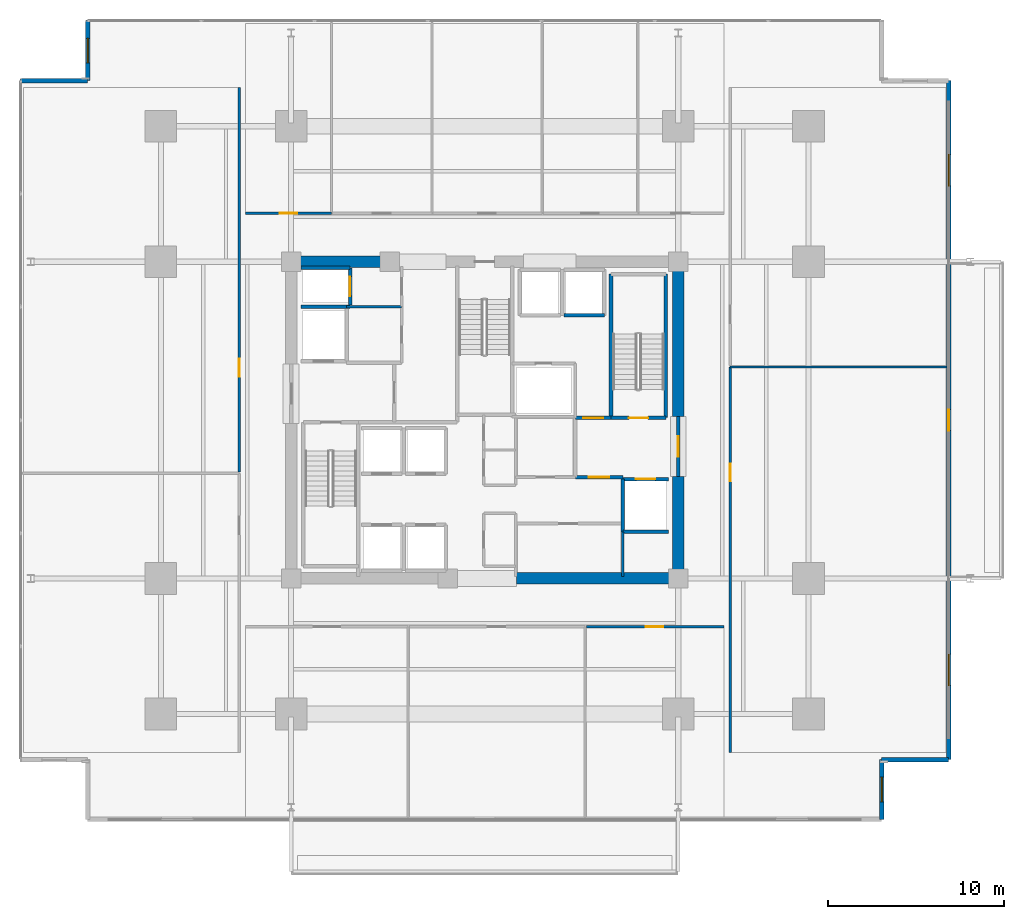
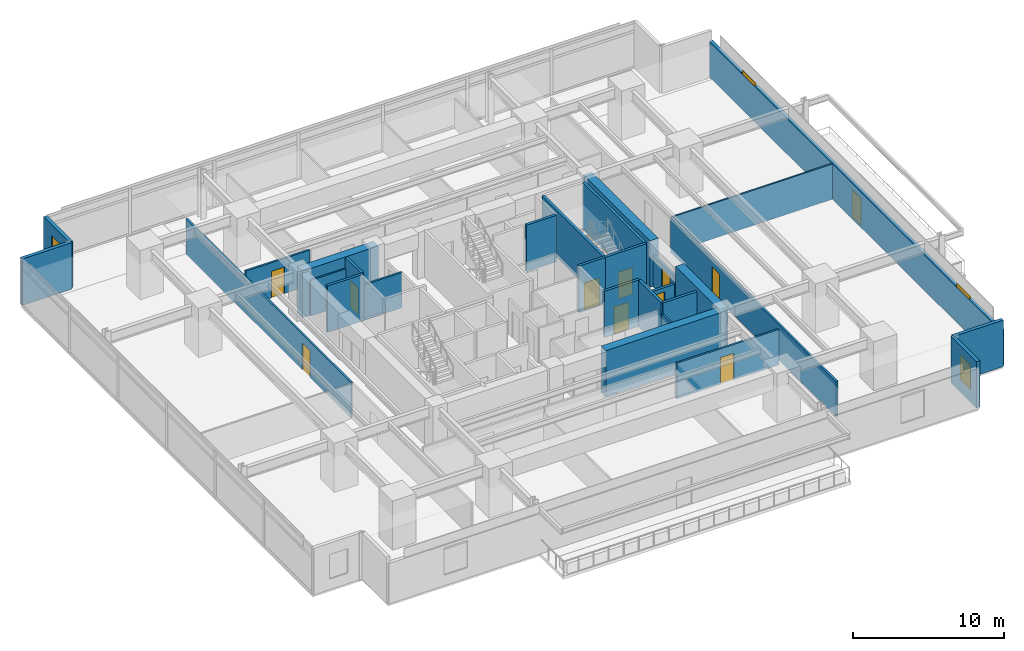
# One storey, part 17 of 23: 29 walls, 11 doors, 4 windows, 15 openings.
"""IFC4 building model written with IfcOpenShell, lengths in metres."""

from ifc_helpers import new_model, si_unit, direction, frame, frame_2d, origin, place, context, subcontext, project, spatial, rectangle, extrude, material, layer, layer_set, type_object, element, fill, save


model = new_model("IFC4")

# Units and contexts
model_context = context("Model", 3, precision=1e-05, world=origin(), true_north=direction((0.0, 1.0)))
body_context = subcontext(model_context, "Body", "Model", "MODEL_VIEW")
ifc_project = project(units=[si_unit("LENGTHUNIT", "METRE"), si_unit("AREAUNIT", "SQUARE_METRE"), si_unit("VOLUMEUNIT", "CUBIC_METRE"), si_unit("PLANEANGLEUNIT", "RADIAN"), si_unit("MASSUNIT", "GRAM", prefix="KILO")], contexts=[model_context])

# Site, building, storey
site_placement = place(None, origin())
site = spatial("IfcSite", under=ifc_project, at=site_placement, CompositionType="ELEMENT")
building_placement = place(site_placement, origin())
building = spatial("IfcBuilding", under=site, at=building_placement, Name="Kovane Verandah Tower", CompositionType="ELEMENT")
storey_placement = place(building_placement, frame((0.0, 0.0, 91.60009765625)))
storey = spatial("IfcBuildingStorey", under=building, at=storey_placement, Name="L21", CompositionType="ELEMENT", Elevation=91.60009765625)

# Walls
ifc_material_1 = material(Name="Fire-Rated Gypsum Stud Partition", Category="gypsum")
ifc_layer_1 = layer(ifc_material_1, 0.14990234375)
ifc_layer_set_1 = layer_set([ifc_layer_1], Name="Fire-Rated Gypsum Stud Partition")
wall_type_1 = type_object("IfcWallType", Name="WL-COR-150", PredefinedType="PARTITIONING", material=ifc_layer_set_1)
wall_1_placement = place(storey_placement, frame((32.14990234375, 33.949951171875, 0.0), z_axis=(0.0, 0.0, 1.0), x_axis=(1.0, 0.0, 0.0)))
element("IfcWall", 1, at=wall_1_placement, inside=storey, type_object=wall_type_1, Name="L21 Goods Lift Lobby South Wall", PredefinedType="PARTITIONING", context=body_context, shape_type="SweptSolid", body=[
    extrude(rectangle(XDim=3.130126953125, YDim=0.14990234375, at=frame_2d((1.56494140625, 0.0))), origin(), (0.0, 0.0, 1.0), 2.849853515625),
])
wall_2_placement = place(storey_placement, frame((47.85009765625, 18.60009765625, 0.0), z_axis=(0.0, 0.0, 1.0), x_axis=(0.0, 1.0, 0.0)))
element("IfcWall", 2, at=wall_2_placement, inside=storey, type_object=wall_type_1, Name="L21 East Core Support East Wall", PredefinedType="PARTITIONING", context=body_context, shape_type="SweptSolid", body=[
    extrude(rectangle(XDim=2.539794921875, YDim=0.14990234375, at=frame_2d((1.27001953125, 0.0))), origin(), (0.0, 0.0, 1.0), 2.849853515625),
])

# Wall, opening, door
wall_3_placement = place(storey_placement, frame((26.39990234375, 39.25, 0.0), z_axis=(0.0, 0.0, 1.0), x_axis=(1.0, 0.0, 0.0)))
wall_3 = element("IfcWall", 3, at=wall_3_placement, inside=storey, type_object=wall_type_1, Name="L21 Breakout Pantry N1 Corridor Partition", PredefinedType="PARTITIONING", context=body_context, shape_type="SweptSolid", body=[
    extrude(rectangle(XDim=4.89599609375, YDim=0.14990234375, at=frame_2d((2.447998046875, 0.0))), origin(), (0.0, 0.0, 1.0), 2.849853515625),
])
opening_1_placement = place(wall_3_placement, frame((1.962890625, 0.0, 0.0)))
opening_1 = element("IfcOpeningElement", 4, at=opening_1_placement, cuts=wall_3, Name="Opening DR-L21-017", PredefinedType="OPENING", context=body_context, shape_type="SweptSolid", body=[
    extrude(rectangle(XDim=1.0, YDim=2.14990234375, at=frame_2d((0.5, 1.074951171875))), frame((0.0, 0.074951171875, 0.0), z_axis=(0.0, -1.0, 0.0), x_axis=(1.0, 0.0, 0.0)), (0.0, 0.0, 1.0), 0.14990234375),
])
ifc_material_2 = material(Name="FSC Spotted-Gum Timber Fire-Rated Office Door", Category="wood")
door_type_1 = type_object("IfcDoorType", Name="DR-OFF-1000", OperationType="SINGLE_SWING_LEFT", PredefinedType="DOOR", material=ifc_material_2)
door_1_placement = place(opening_1_placement, origin())
door_1 = element("IfcDoor", 5, at=door_1_placement, inside=storey, type_object=door_type_1, Name="L21 Breakout Pantry N1 Entrance Door", OperationType="SINGLE_SWING_LEFT", OverallHeight=2.14990234375, OverallWidth=1.0, PredefinedType="DOOR", context=body_context, shape_type="SweptSolid", body=[
    extrude(rectangle(XDim=1.0, YDim=2.14990234375, at=frame_2d((0.5, 1.074951171875))), frame((0.0, 0.02490234375, 0.0), z_axis=(0.0, -1.0, 0.0), x_axis=(1.0, 0.0, 0.0)), (0.0, 0.0, 1.0), 0.050048828125),
])
fill(opening_1, door_1)

wall_4_placement = place(storey_placement, frame((45.781982421875, 15.75, 0.0), z_axis=(0.0, 0.0, 1.0), x_axis=(1.0, 0.0, 0.0)))
wall_4 = element("IfcWall", 6, at=wall_4_placement, inside=storey, type_object=wall_type_1, Name="L21 Focus Studio S3 Corridor Partition", PredefinedType="PARTITIONING", context=body_context, shape_type="SweptSolid", body=[
    extrude(rectangle(XDim=7.818115234375, YDim=0.14990234375, at=frame_2d((3.9091796875, 0.0))), origin(), (0.0, 0.0, 1.0), 2.849853515625),
])
opening_2_placement = place(wall_4_placement, frame((3.35888671875, 0.0, 0.0)))
opening_2 = element("IfcOpeningElement", 7, at=opening_2_placement, cuts=wall_4, Name="Opening DR-L21-024", PredefinedType="OPENING", context=body_context, shape_type="SweptSolid", body=[
    extrude(rectangle(XDim=1.0, YDim=2.14990234375, at=frame_2d((0.5, 1.074951171875))), frame((0.0, 0.074951171875, 0.0), z_axis=(0.0, -1.0, 0.0), x_axis=(1.0, 0.0, 0.0)), (0.0, 0.0, 1.0), 0.14990234375),
])
door_2_placement = place(opening_2_placement, origin())
door_2 = element("IfcDoor", 8, at=door_2_placement, inside=storey, type_object=door_type_1, Name="L21 Focus Studio S3 Entrance Door", OperationType="SINGLE_SWING_RIGHT", OverallHeight=2.14990234375, OverallWidth=1.0, PredefinedType="DOOR", context=body_context, shape_type="SweptSolid", body=[
    extrude(rectangle(XDim=1.0, YDim=2.14990234375, at=frame_2d((0.5, 1.074951171875))), frame((0.0, 0.02490234375, 0.0), z_axis=(0.0, -1.0, 0.0), x_axis=(1.0, 0.0, 0.0)), (0.0, 0.0, 1.0), 0.050048828125),
])
fill(opening_2, door_2)

wall_5_placement = place(storey_placement, frame((26.050048828125, 24.546875, 0.0), z_axis=(0.0, 0.0, 1.0), x_axis=(0.0, 1.0, 0.0)))
wall_5 = element("IfcWall", 9, at=wall_5_placement, inside=storey, type_object=wall_type_1, Name="L21 Collaboration Hub W2 Corridor Partition", PredefinedType="PARTITIONING", context=body_context, shape_type="SweptSolid", body=[
    extrude(rectangle(XDim=21.84814453125, YDim=0.14990234375, at=frame_2d((10.924072265625, 0.0))), origin(), (0.0, 0.0, 1.0), 2.849853515625),
])
opening_3_placement = place(wall_5_placement, frame((5.426513671875, 0.0, 0.0)))
opening_3 = element("IfcOpeningElement", 10, at=opening_3_placement, cuts=wall_5, Name="Opening DR-L21-030", PredefinedType="OPENING", context=body_context, shape_type="SweptSolid", body=[
    extrude(rectangle(XDim=1.0, YDim=2.14990234375, at=frame_2d((0.5, 1.074951171875))), frame((0.0, 0.074951171875, 0.0), z_axis=(0.0, -1.0, 0.0), x_axis=(1.0, 0.0, 0.0)), (0.0, 0.0, 1.0), 0.14990234375),
])
door_3_placement = place(opening_3_placement, origin())
door_3 = element("IfcDoor", 11, at=door_3_placement, inside=storey, type_object=door_type_1, Name="L21 Collaboration Hub W2 Entrance Door", OperationType="SINGLE_SWING_RIGHT", OverallHeight=2.14990234375, OverallWidth=1.0, PredefinedType="DOOR", context=body_context, shape_type="SweptSolid", body=[
    extrude(rectangle(XDim=1.0, YDim=2.14990234375, at=frame_2d((0.5, 1.074951171875))), frame((0.0, 0.02490234375, 0.0), z_axis=(0.0, -1.0, 0.0), x_axis=(1.0, 0.0, 0.0)), (0.0, 0.0, 1.0), 0.050048828125),
])
fill(opening_3, door_3)

wall_6_placement = place(storey_placement, frame((53.949951171875, 8.60498046875, 0.0), z_axis=(0.0, 0.0, 1.0), x_axis=(0.0, 1.0, 0.0)))
wall_6 = element("IfcWall", 12, at=wall_6_placement, inside=storey, type_object=wall_type_1, Name="L21 Document and Print Room E1 Corridor Partition", PredefinedType="PARTITIONING", context=body_context, shape_type="SweptSolid", body=[
    extrude(rectangle(XDim=21.918212890625, YDim=0.14990234375, at=frame_2d((10.958984375, 0.0))), origin(), (0.0, 0.0, 1.0), 2.849853515625),
])
opening_4_placement = place(wall_6_placement, frame((15.42138671875, 0.0, 0.0)))
opening_4 = element("IfcOpeningElement", 13, at=opening_4_placement, cuts=wall_6, Name="Opening DR-L21-012", PredefinedType="OPENING", context=body_context, shape_type="SweptSolid", body=[
    extrude(rectangle(XDim=1.0, YDim=2.14990234375, at=frame_2d((0.5, 1.074951171875))), frame((0.0, 0.074951171875, 0.0), z_axis=(0.0, -1.0, 0.0), x_axis=(1.0, 0.0, 0.0)), (0.0, 0.0, 1.0), 0.14990234375),
])
door_4_placement = place(opening_4_placement, origin())
door_4 = element("IfcDoor", 14, at=door_4_placement, inside=storey, type_object=door_type_1, Name="L21 Document and Print Room E1 Entrance Door", OperationType="SINGLE_SWING_LEFT", OverallHeight=2.14990234375, OverallWidth=1.0, PredefinedType="DOOR", context=body_context, shape_type="SweptSolid", body=[
    extrude(rectangle(XDim=1.0, YDim=2.14990234375, at=frame_2d((0.5, 1.074951171875))), frame((0.0, 0.02490234375, 0.0), z_axis=(0.0, -1.0, 0.0), x_axis=(1.0, 0.0, 0.0)), (0.0, 0.0, 1.0), 0.050048828125),
])
fill(opening_4, door_4)

# Walls
ifc_material_3 = material(Name="Concrete C80/95", Category="concrete")
ifc_layer_2 = layer(ifc_material_3, 0.64990234375)
ifc_layer_set_2 = layer_set([ifc_layer_2], Name="Concrete C80/95")
wall_type_2 = type_object("IfcWallType", Name="WL-CORE-650", PredefinedType="SHEAR", material=ifc_layer_set_2)
wall_7_placement = place(storey_placement, frame((41.800048828125, 18.5, 0.0), z_axis=(0.0, 0.0, 1.0), x_axis=(1.0, 0.0, 0.0)))
element("IfcWall", 15, at=wall_7_placement, inside=storey, type_object=wall_type_2, Name="L21 Core Shear Wall CS-2", PredefinedType="SHEAR", context=body_context, shape_type="SweptSolid", body=[
    extrude(rectangle(XDim=9.199951171875, YDim=0.64990234375, at=frame_2d((4.60009765625, 0.0))), origin(), (0.0, 0.0, 1.0), 3.760009765625),
])
for number, where, z_axis, x_axis, name in (
    (16, (29.0, 36.5, 0.0), (0.0, 0.0, 1.0), (1.0, 0.0, 0.0), "L21 Core Shear Wall CN-1"),
    (17, (51.0, 18.5, 0.0), (0.0, 0.0, 1.0), (0.0, 1.0, 0.0), "L21 Core Shear Wall CE-1"),
):
    element("IfcWall", number, at=place(storey_placement, frame(where, z_axis=z_axis, x_axis=x_axis)), inside=storey, type_object=wall_type_2, Name=name, PredefinedType="SHEAR", context=body_context, shape_type="SweptSolid", body=[
        extrude(rectangle(XDim=5.800048828125, YDim=0.64990234375, at=frame_2d((2.89990234375, 0.0))), origin(), (0.0, 0.0, 1.0), 3.760009765625),
    ])
wall_8_placement = place(storey_placement, frame((51.0, 27.699951171875, 0.0), z_axis=(0.0, 0.0, 1.0), x_axis=(0.0, 1.0, 0.0)))
element("IfcWall", 18, at=wall_8_placement, inside=storey, type_object=wall_type_2, Name="L21 Core Shear Wall CE-2", PredefinedType="SHEAR", context=body_context, shape_type="SweptSolid", body=[
    extrude(rectangle(XDim=8.800048828125, YDim=0.64990234375, at=frame_2d((4.39990234375, 0.0))), origin(), (0.0, 0.0, 1.0), 3.760009765625),
])

# Wall, opening, door
ifc_material_4 = material(Name="Concrete C45/55 Fire Wall", Category="concrete")
ifc_layer_3 = layer(ifc_material_4, 0.199951171875)
ifc_layer_set_3 = layer_set([ifc_layer_3], Name="Concrete C45/55 Fire Wall")
wall_type_3 = type_object("IfcWallType", Name="WL-FFL-200", PredefinedType="PARTITIONING", material=ifc_layer_set_3)
wall_9_placement = place(storey_placement, frame((45.14990234375, 24.25, 0.0), z_axis=(0.0, 0.0, 1.0), x_axis=(1.0, 0.0, 0.0)))
wall_9 = element("IfcWall", 19, at=wall_9_placement, inside=storey, type_object=wall_type_3, Name="W-L21-FFLE-S", PredefinedType="PARTITIONING", context=body_context, shape_type="SweptSolid", body=[
    extrude(rectangle(XDim=2.7001953125, YDim=0.199951171875, at=frame_2d((1.35009765625, 0.0))), origin(), (0.0, 0.0, 1.0), 3.760009765625),
])
opening_5_placement = place(wall_9_placement, frame((0.77490234375, 0.0, 0.0)))
opening_5 = element("IfcOpeningElement", 20, at=opening_5_placement, cuts=wall_9, Name="Opening DR-L21-003", PredefinedType="OPENING", context=body_context, shape_type="SweptSolid", body=[
    extrude(rectangle(XDim=1.14990234375, YDim=2.199951171875, at=frame_2d((0.574951171875, 1.10009765625))), frame((0.0, 0.10009765625, 0.0), z_axis=(0.0, -1.0, 0.0), x_axis=(1.0, 0.0, 0.0)), (0.0, 0.0, 1.0), 0.199951171875),
])
ifc_material_5 = material(Name="Smoke-Sealed Firefighting Lobby Door", Category="steel")
door_type_2 = type_object("IfcDoorType", Name="DR-FFL-1150", OperationType="SINGLE_SWING_LEFT", PredefinedType="DOOR", material=ifc_material_5)
door_5_placement = place(opening_5_placement, origin())
door_5 = element("IfcDoor", 21, at=door_5_placement, inside=storey, type_object=door_type_2, Name="L21 East Firefighting Lobby Inner Door", OperationType="SINGLE_SWING_RIGHT", OverallHeight=2.199951171875, OverallWidth=1.14990234375, PredefinedType="DOOR", context=body_context, shape_type="SweptSolid", body=[
    extrude(rectangle(XDim=1.14990234375, YDim=2.199951171875, at=frame_2d((0.574951171875, 1.10009765625))), frame((0.0, 0.02490234375, 0.0), z_axis=(0.0, -1.0, 0.0), x_axis=(1.0, 0.0, 0.0)), (0.0, 0.0, 1.0), 0.050048828125),
])
fill(opening_5, door_5)

wall_10_placement = place(storey_placement, frame((45.14990234375, 27.6201171875, 0.0), z_axis=(0.0, 0.0, 1.0), x_axis=(1.0, 0.0, 0.0)))
wall_10 = element("IfcWall", 22, at=wall_10_placement, inside=storey, type_object=wall_type_3, Name="W-L21-FFLE-N", PredefinedType="PARTITIONING", context=body_context, shape_type="SweptSolid", body=[
    extrude(rectangle(XDim=2.030029296875, YDim=0.199951171875, at=frame_2d((1.01513671875, 0.0))), origin(), (0.0, 0.0, 1.0), 3.760009765625),
])
opening_6_placement = place(wall_10_placement, frame((0.43994140625, 0.0, 0.0)))
opening_6 = element("IfcOpeningElement", 23, at=opening_6_placement, cuts=wall_10, Name="Opening DR-L21-004", PredefinedType="OPENING", context=body_context, shape_type="SweptSolid", body=[
    extrude(rectangle(XDim=1.14990234375, YDim=2.199951171875, at=frame_2d((0.574951171875, 1.10009765625))), frame((0.0, 0.10009765625, 0.0), z_axis=(0.0, -1.0, 0.0), x_axis=(1.0, 0.0, 0.0)), (0.0, 0.0, 1.0), 0.199951171875),
])
door_6_placement = place(opening_6_placement, origin())
door_6 = element("IfcDoor", 24, at=door_6_placement, inside=storey, type_object=door_type_2, Name="L21 East Firefighting Lobby Shuttle Link Door", OperationType="SINGLE_SWING_LEFT", OverallHeight=2.199951171875, OverallWidth=1.14990234375, PredefinedType="DOOR", context=body_context, shape_type="SweptSolid", body=[
    extrude(rectangle(XDim=1.14990234375, YDim=2.199951171875, at=frame_2d((0.574951171875, 1.10009765625))), frame((0.0, 0.02490234375, 0.0), z_axis=(0.0, -1.0, 0.0), x_axis=(1.0, 0.0, 0.0)), (0.0, 0.0, 1.0), 0.050048828125),
])
fill(opening_6, door_6)

wall_11_placement = place(storey_placement, frame((51.0, 24.300048828125, 0.0), z_axis=(0.0, 0.0, 1.0), x_axis=(0.0, 1.0, 0.0)))
wall_11 = element("IfcWall", 25, at=wall_11_placement, inside=storey, type_object=wall_type_3, Name="W-L21-FFLE-OUT", PredefinedType="PARTITIONING", context=body_context, shape_type="SweptSolid", body=[
    extrude(rectangle(XDim=3.39990234375, YDim=0.199951171875, at=frame_2d((1.699951171875, 0.0))), origin(), (0.0, 0.0, 1.0), 2.539794921875),
])
opening_7_placement = place(wall_11_placement, frame((1.125, 0.0, 0.0)))
opening_7 = element("IfcOpeningElement", 26, at=opening_7_placement, cuts=wall_11, Name="Opening DR-L21-005", PredefinedType="OPENING", context=body_context, shape_type="SweptSolid", body=[
    extrude(rectangle(XDim=1.14990234375, YDim=2.199951171875, at=frame_2d((0.574951171875, 1.10009765625))), frame((0.0, 0.10009765625, 0.0), z_axis=(0.0, -1.0, 0.0), x_axis=(1.0, 0.0, 0.0)), (0.0, 0.0, 1.0), 0.199951171875),
])
door_7_placement = place(opening_7_placement, origin())
door_7 = element("IfcDoor", 27, at=door_7_placement, inside=storey, type_object=door_type_2, Name="L21 East Firefighting Lobby Corridor Door", OperationType="SINGLE_SWING_LEFT", OverallHeight=2.199951171875, OverallWidth=1.14990234375, PredefinedType="DOOR", context=body_context, shape_type="SweptSolid", body=[
    extrude(rectangle(XDim=1.14990234375, YDim=2.199951171875, at=frame_2d((0.574951171875, 1.10009765625))), frame((0.0, 0.02490234375, 0.0), z_axis=(0.0, -1.0, 0.0), x_axis=(1.0, 0.0, 0.0)), (0.0, 0.0, 1.0), 0.050048828125),
])
fill(opening_7, door_7)

# Walls
ifc_material_6 = material(Name="Concrete C45/55 Lift Shaft Wall", Category="concrete")
ifc_layer_4 = layer(ifc_material_6, 0.199951171875)
ifc_layer_set_4 = layer_set([ifc_layer_4], Name="Concrete C45/55 Lift Shaft Wall")
wall_type_4 = type_object("IfcWallType", Name="WL-LIFT-200", PredefinedType="SOLIDWALL", material=ifc_layer_set_4)
wall_12_placement = place(storey_placement, frame((29.550048828125, 33.949951171875, 0.0), z_axis=(0.0, 0.0, 1.0), x_axis=(1.0, 0.0, 0.0)))
element("IfcWall", 28, at=wall_12_placement, inside=storey, type_object=wall_type_4, Name="L21 Lift FL-01 and GL-01 Shared Shaft Wall", PredefinedType="SOLIDWALL", context=body_context, shape_type="SweptSolid", body=[
    extrude(rectangle(XDim=2.800048828125, YDim=0.199951171875, at=frame_2d((1.39990234375, 0.0))), origin(), (0.0, 0.0, 1.0), 3.760009765625),
])
wall_13_placement = place(storey_placement, frame((47.85009765625, 21.14990234375, 0.0), z_axis=(0.0, 0.0, 1.0), x_axis=(1.0, 0.0, 0.0)))
element("IfcWall", 29, at=wall_13_placement, inside=storey, type_object=wall_type_4, Name="L21 Lift FL-02 S Shaft Wall", PredefinedType="SOLIDWALL", context=body_context, shape_type="SweptSolid", body=[
    extrude(rectangle(XDim=2.599853515625, YDim=0.199951171875, at=frame_2d((1.2998046875, 0.0))), origin(), (0.0, 0.0, 1.0), 3.760009765625),
])

# Wall, opening, door
wall_14_placement = place(storey_placement, frame((50.449951171875, 24.14990234375, 0.0), z_axis=(0.0, 0.0, 1.0), x_axis=(-1.0, 0.0, 0.0)))
wall_14 = element("IfcWall", 30, at=wall_14_placement, inside=storey, type_object=wall_type_4, Name="L21 Lift FL-02 N Shaft Wall", PredefinedType="SOLIDWALL", context=body_context, shape_type="SweptSolid", body=[
    extrude(rectangle(XDim=2.599853515625, YDim=0.199951171875, at=frame_2d((1.2998046875, 0.0))), origin(), (0.0, 0.0, 1.0), 2.539794921875),
])
opening_8_placement = place(wall_14_placement, frame((0.75, 0.0, 0.0)))
opening_8 = element("IfcOpeningElement", 31, at=opening_8_placement, cuts=wall_14, Name="Opening LD-L21-002", PredefinedType="OPENING", context=body_context, shape_type="SweptSolid", body=[
    extrude(rectangle(XDim=1.10009765625, YDim=2.199951171875, at=frame_2d((0.550048828125, 1.10009765625))), frame((0.0, 0.10009765625, 0.0), z_axis=(0.0, -1.0, 0.0), x_axis=(1.0, 0.0, 0.0)), (0.0, 0.0, 1.0), 0.199951171875),
])
ifc_material_7 = material(Name="Brushed Stainless Steel Sliding Lift Landing Door", Category="steel")
door_type_3 = type_object("IfcDoorType", Name="DR-LIFT-1100", OperationType="SLIDING_TO_RIGHT", PredefinedType="DOOR", material=ifc_material_7)
door_8_placement = place(opening_8_placement, origin())
door_8 = element("IfcDoor", 32, at=door_8_placement, inside=storey, type_object=door_type_3, Name="L21 Lift FL-02 Sliding Landing Door", OperationType="SLIDING_TO_RIGHT", OverallHeight=2.199951171875, OverallWidth=1.10009765625, PredefinedType="DOOR", context=body_context, shape_type="SweptSolid", body=[
    extrude(rectangle(XDim=1.10009765625, YDim=2.199951171875, at=frame_2d((0.550048828125, 1.10009765625))), frame((0.0, 0.02490234375, 0.0), z_axis=(0.0, -1.0, 0.0), x_axis=(1.0, 0.0, 0.0)), (0.0, 0.0, 1.0), 0.050048828125),
])
fill(opening_8, door_8)

# Walls
wall_15_placement = place(storey_placement, frame((47.85009765625, 24.14990234375, 0.0), z_axis=(0.0, 0.0, 1.0), x_axis=(0.0, -1.0, 0.0)))
element("IfcWall", 33, at=wall_15_placement, inside=storey, type_object=wall_type_4, Name="L21 Lift FL-02 W Shaft Wall", PredefinedType="SOLIDWALL", context=body_context, shape_type="SweptSolid", body=[
    extrude(rectangle(XDim=3.0, YDim=0.199951171875, at=frame_2d((1.5, 0.0))), origin(), (0.0, 0.0, 1.0), 3.760009765625),
])
wall_16_placement = place(storey_placement, frame((32.35009765625, 36.14990234375, 0.0), z_axis=(0.0, 0.0, 1.0), x_axis=(-1.0, 0.0, 0.0)))
element("IfcWall", 34, at=wall_16_placement, inside=storey, type_object=wall_type_4, Name="L21 Lift GL-01 N Shaft Wall", PredefinedType="SOLIDWALL", context=body_context, shape_type="SweptSolid", body=[
    extrude(rectangle(XDim=2.800048828125, YDim=0.199951171875, at=frame_2d((1.39990234375, 0.0))), origin(), (0.0, 0.0, 1.0), 2.88916015625),
])

# Wall, opening, door
wall_17_placement = place(storey_placement, frame((32.35009765625, 34.050048828125, 0.0), z_axis=(0.0, 0.0, 1.0), x_axis=(0.0, 1.0, 0.0)))
wall_17 = element("IfcWall", 35, at=wall_17_placement, inside=storey, type_object=wall_type_4, Name="L21 Lift GL-01 E Shaft Wall", PredefinedType="SOLIDWALL", context=body_context, shape_type="SweptSolid", body=[
    extrude(rectangle(XDim=2.099853515625, YDim=0.199951171875, at=frame_2d((1.0498046875, 0.0))), origin(), (0.0, 0.0, 1.0), 3.760009765625),
])
opening_9_placement = place(wall_17_placement, frame((0.5, 0.0, 0.0)))
opening_9 = element("IfcOpeningElement", 36, at=opening_9_placement, cuts=wall_17, Name="Opening LD-L21-003", PredefinedType="OPENING", context=body_context, shape_type="SweptSolid", body=[
    extrude(rectangle(XDim=1.10009765625, YDim=2.199951171875, at=frame_2d((0.550048828125, 1.10009765625))), frame((0.0, 0.10009765625, 0.0), z_axis=(0.0, -1.0, 0.0), x_axis=(1.0, 0.0, 0.0)), (0.0, 0.0, 1.0), 0.199951171875),
])
door_9_placement = place(opening_9_placement, origin())
door_9 = element("IfcDoor", 37, at=door_9_placement, inside=storey, type_object=door_type_3, Name="L21 Lift GL-01 Sliding Landing Door", OperationType="SLIDING_TO_RIGHT", OverallHeight=2.199951171875, OverallWidth=1.10009765625, PredefinedType="DOOR", context=body_context, shape_type="SweptSolid", body=[
    extrude(rectangle(XDim=1.10009765625, YDim=2.199951171875, at=frame_2d((0.550048828125, 1.10009765625))), frame((0.0, 0.02490234375, 0.0), z_axis=(0.0, -1.0, 0.0), x_axis=(1.0, 0.0, 0.0)), (0.0, 0.0, 1.0), 0.050048828125),
])
fill(opening_9, door_9)

# Walls
wall_18_placement = place(storey_placement, frame((44.5, 33.449951171875, 0.0), z_axis=(0.0, 0.0, 1.0), x_axis=(1.0, 0.0, 0.0)))
element("IfcWall", 38, at=wall_18_placement, inside=storey, type_object=wall_type_4, Name="L21 Lift OL-01 S Shaft Wall", PredefinedType="SOLIDWALL", context=body_context, shape_type="SweptSolid", body=[
    extrude(rectangle(XDim=2.300048828125, YDim=0.199951171875, at=frame_2d((1.14990234375, 0.0))), origin(), (0.0, 0.0, 1.0), 3.760009765625),
])
ifc_material_8 = material(Name="Acoustic Fire-Rated Gypsum Partition", Category="gypsum")
ifc_layer_5 = layer(ifc_material_8, 0.1201171875)
ifc_layer_set_5 = layer_set([ifc_layer_5], Name="Acoustic Fire-Rated Gypsum Partition")
wall_type_5 = type_object("IfcWallType", Name="WL-PART-120", PredefinedType="PARTITIONING", material=ifc_layer_set_5)
wall_19_placement = place(storey_placement, frame((53.949951171875, 30.523193359375, 0.0), z_axis=(0.0, 0.0, 1.0), x_axis=(1.0, 0.0, 0.0)))
element("IfcWall", 39, at=wall_19_placement, inside=storey, type_object=wall_type_5, Name="L21 Document and Print Room E1 Dividing Partition", PredefinedType="PARTITIONING", context=body_context, shape_type="SweptSolid", body=[
    extrude(rectangle(XDim=12.314208984375, YDim=0.1201171875, at=frame_2d((6.1572265625, 0.0))), origin(), (0.0, 0.0, 1.0), 2.849853515625),
])
ifc_material_9 = material(Name="Concrete C45/55", Category="concrete")
ifc_layer_6 = layer(ifc_material_9, 0.199951171875)
ifc_layer_set_6 = layer_set([ifc_layer_6], Name="Concrete C45/55")
wall_type_6 = type_object("IfcWallType", Name="WL-SHAFT-200", PredefinedType="SOLIDWALL", material=ifc_layer_set_6)
wall_20_placement = place(storey_placement, frame((50.300048828125, 27.64990234375, 0.0), z_axis=(0.0, 0.0, 1.0), x_axis=(0.0, 1.0, 0.0)))
element("IfcWall", 40, at=wall_20_placement, inside=storey, type_object=wall_type_6, Name="W-L21-ST02-E", PredefinedType="SOLIDWALL", context=body_context, shape_type="SweptSolid", body=[
    extrude(rectangle(XDim=8.150146484375, YDim=0.199951171875, at=frame_2d((4.0751953125, 0.0))), origin(), (0.0, 0.0, 1.0), 3.760009765625),
])
wall_21_placement = place(storey_placement, frame((47.179931640625, 27.6201171875, 0.0), z_axis=(0.0, 0.0, 1.0), x_axis=(0.0, 1.0, 0.0)))
element("IfcWall", 41, at=wall_21_placement, inside=storey, type_object=wall_type_6, Name="W-L21-ST02-W", PredefinedType="SOLIDWALL", context=body_context, shape_type="SweptSolid", body=[
    extrude(rectangle(XDim=8.179931640625, YDim=0.199951171875, at=frame_2d((4.08984375, 0.0))), origin(), (0.0, 0.0, 1.0), 3.760009765625),
])

# Wall, opening, door
wall_22_placement = place(storey_placement, frame((47.179931640625, 27.6201171875, 0.0), z_axis=(0.0, 0.0, 1.0), x_axis=(1.0, 0.0, 0.0)))
wall_22 = element("IfcWall", 42, at=wall_22_placement, inside=storey, type_object=wall_type_6, Name="W-L21-ST02-S", PredefinedType="SOLIDWALL", context=body_context, shape_type="SweptSolid", body=[
    extrude(rectangle(XDim=3.1201171875, YDim=0.199951171875, at=frame_2d((1.56005859375, 0.0))), origin(), (0.0, 0.0, 1.0), 3.760009765625),
])
opening_10_placement = place(wall_22_placement, frame((1.010009765625, 0.0, 0.0)))
opening_10 = element("IfcOpeningElement", 43, at=opening_10_placement, cuts=wall_22, Name="Opening DR-L21-010", PredefinedType="OPENING", context=body_context, shape_type="SweptSolid", body=[
    extrude(rectangle(XDim=1.10009765625, YDim=2.14990234375, at=frame_2d((0.550048828125, 1.074951171875))), frame((0.0, 0.10009765625, 0.0), z_axis=(0.0, -1.0, 0.0), x_axis=(1.0, 0.0, 0.0)), (0.0, 0.0, 1.0), 0.199951171875),
])
ifc_material_10 = material(Name="Fire-Rated Steel Exit Door", Category="steel")
door_type_4 = type_object("IfcDoorType", Name="DR-STAIR-1100", OperationType="SINGLE_SWING_LEFT", PredefinedType="DOOR", material=ifc_material_10)
door_10_placement = place(opening_10_placement, origin())
door_10 = element("IfcDoor", 44, at=door_10_placement, inside=storey, type_object=door_type_4, Name="L21 ST-02 Fire Exit Stair Door", OperationType="SINGLE_SWING_LEFT", OverallHeight=2.14990234375, OverallWidth=1.10009765625, PredefinedType="DOOR", context=body_context, shape_type="SweptSolid", body=[
    extrude(rectangle(XDim=1.10009765625, YDim=2.14990234375, at=frame_2d((0.550048828125, 1.074951171875))), frame((0.0, 0.02490234375, 0.0), z_axis=(0.0, -1.0, 0.0), x_axis=(1.0, 0.0, 0.0)), (0.0, 0.0, 1.0), 0.050048828125),
])
fill(opening_10, door_10)

# Wall, openings, door, windows
ifc_material_11 = material(Name="Concrete C45/55 Insulated Spandrel Wall", Category="concrete")
ifc_layer_7 = layer(ifc_material_11, 0.260009765625)
ifc_layer_set_7 = layer_set([ifc_layer_7], Name="Concrete C45/55 Insulated Spandrel Wall")
wall_type_7 = type_object("IfcWallType", Name="WL-SPANDREL-260", PredefinedType="PARAPET", material=ifc_layer_set_7)
wall_23_placement = place(storey_placement, frame((66.364013671875, 8.205078125, 0.0), z_axis=(0.0, 0.0, 1.0), x_axis=(0.0, 1.0, 0.0)))
wall_23 = element("IfcWall", 45, at=wall_23_placement, inside=storey, type_object=wall_type_7, Name="L21 E Verandah Access Facade Wall", PredefinedType="PARAPET", context=body_context, shape_type="SweptSolid", body=[
    extrude(rectangle(XDim=38.58984375, YDim=0.260009765625, at=frame_2d((19.294921875, 0.0))), origin(), (0.0, 0.0, 1.0), 2.88916015625),
])
opening_11_placement = place(wall_23_placement, frame((4.199951171875, 0.0, 0.85009765625)))
opening_11 = element("IfcOpeningElement", 46, at=opening_11_placement, cuts=wall_23, Name="Opening W-03", PredefinedType="OPENING", context=body_context, shape_type="SweptSolid", body=[
    extrude(rectangle(XDim=1.800048828125, YDim=2.199951171875, at=frame_2d((0.89990234375, 1.10009765625))), frame((0.0, 0.1298828125, 0.0), z_axis=(0.0, -1.0, 0.0), x_axis=(1.0, 0.0, 0.0)), (0.0, 0.0, 1.0), 0.260009765625),
])
opening_12_placement = place(wall_23_placement, frame((18.69482421875, 0.0, 0.0)))
opening_12 = element("IfcOpeningElement", 47, at=opening_12_placement, cuts=wall_23, Name="Opening DR-L21-001", PredefinedType="OPENING", context=body_context, shape_type="SweptSolid", body=[
    extrude(rectangle(XDim=1.199951171875, YDim=2.199951171875, at=frame_2d((0.60009765625, 1.10009765625))), frame((0.0, 0.1298828125, 0.0), z_axis=(0.0, -1.0, 0.0), x_axis=(1.0, 0.0, 0.0)), (0.0, 0.0, 1.0), 0.260009765625),
])
opening_13_placement = place(wall_23_placement, frame((32.58984375, 0.0, 0.85009765625)))
opening_13 = element("IfcOpeningElement", 48, at=opening_13_placement, cuts=wall_23, Name="Opening W-03", PredefinedType="OPENING", context=body_context, shape_type="SweptSolid", body=[
    extrude(rectangle(XDim=1.800048828125, YDim=2.199951171875, at=frame_2d((0.89990234375, 1.10009765625))), frame((0.0, 0.1298828125, 0.0), z_axis=(0.0, -1.0, 0.0), x_axis=(1.0, 0.0, 0.0)), (0.0, 0.0, 1.0), 0.260009765625),
])
ifc_material_12 = material(Name="Cyclone-Rated Glazed Balcony Leaf Door", Category="aluminium")
door_type_5 = type_object("IfcDoorType", Name="DR-BAL-1200x2200", OperationType="SINGLE_SWING_LEFT", PredefinedType="DOOR", material=ifc_material_12)
door_11_placement = place(opening_12_placement, origin())
door_11 = element("IfcDoor", 49, at=door_11_placement, inside=storey, type_object=door_type_5, Name="L21 E Planted Balcony Access Door", OperationType="SINGLE_SWING_LEFT", OverallHeight=2.199951171875, OverallWidth=1.199951171875, PredefinedType="DOOR", context=body_context, shape_type="SweptSolid", body=[
    extrude(rectangle(XDim=1.199951171875, YDim=2.199951171875, at=frame_2d((0.60009765625, 1.10009765625))), frame((0.0, 0.02490234375, 0.0), z_axis=(0.0, -1.0, 0.0), x_axis=(1.0, 0.0, 0.0)), (0.0, 0.0, 1.0), 0.050048828125),
])
fill(opening_12, door_11)
ifc_material_13 = material(Name="Clear Low-E Laminated Double Glazing in Anodised Frame", Category="glass")
window_type_1 = type_object("IfcWindowType", Name="WN-NOTCH-1800x2200", PartitioningType="SINGLE_PANEL", PredefinedType="WINDOW", material=ifc_material_13)
window_1_placement = place(opening_11_placement, origin())
window_1 = element("IfcWindow", 50, at=window_1_placement, inside=storey, type_object=window_type_1, Name="L21 E Verandah View Window 1", OverallHeight=2.199951171875, OverallWidth=1.800048828125, PartitioningType="SINGLE_PANEL", PredefinedType="WINDOW", context=body_context, shape_type="SweptSolid", body=[
    extrude(rectangle(XDim=1.800048828125, YDim=2.199951171875, at=frame_2d((0.89990234375, 1.10009765625))), frame((0.0, 0.030029296875, 0.0), z_axis=(0.0, -1.0, 0.0), x_axis=(1.0, 0.0, 0.0)), (0.0, 0.0, 1.0), 0.06005859375),
])
fill(opening_11, window_1)
window_2_placement = place(opening_13_placement, origin())
window_2 = element("IfcWindow", 51, at=window_2_placement, inside=storey, type_object=window_type_1, Name="L21 E Verandah View Window 2", OverallHeight=2.199951171875, OverallWidth=1.800048828125, PartitioningType="SINGLE_PANEL", PredefinedType="WINDOW", context=body_context, shape_type="SweptSolid", body=[
    extrude(rectangle(XDim=1.800048828125, YDim=2.199951171875, at=frame_2d((0.89990234375, 1.10009765625))), frame((0.0, 0.030029296875, 0.0), z_axis=(0.0, -1.0, 0.0), x_axis=(1.0, 0.0, 0.0)), (0.0, 0.0, 1.0), 0.06005859375),
])
fill(opening_13, window_2)

# Wall, opening, window
wall_24_placement = place(storey_placement, frame((62.564208984375, 4.80517578125, 0.0), z_axis=(0.0, 0.0, 1.0), x_axis=(0.0, 1.0, 0.0)))
wall_24 = element("IfcWall", 52, at=wall_24_placement, inside=storey, type_object=wall_type_7, Name="L21 SE Notch Cheek Wall 1", PredefinedType="PARAPET", context=body_context, shape_type="SweptSolid", body=[
    extrude(rectangle(XDim=3.39990234375, YDim=0.260009765625, at=frame_2d((1.699951171875, 0.0))), origin(), (0.0, 0.0, 1.0), 3.760009765625),
])
opening_14_placement = place(wall_24_placement, frame((1.0, 0.0, 0.85009765625)))
opening_14 = element("IfcOpeningElement", 53, at=opening_14_placement, cuts=wall_24, Name="Opening W-01", PredefinedType="OPENING", context=body_context, shape_type="SweptSolid", body=[
    extrude(rectangle(XDim=1.39990234375, YDim=2.0, at=frame_2d((0.699951171875, 1.0))), frame((0.0, 0.1298828125, 0.0), z_axis=(0.0, -1.0, 0.0), x_axis=(1.0, 0.0, 0.0)), (0.0, 0.0, 1.0), 0.260009765625),
])
window_type_2 = type_object("IfcWindowType", Name="WN-OPER-1400x2000", PartitioningType="SINGLE_PANEL", PredefinedType="WINDOW", material=ifc_material_13)
window_3_placement = place(opening_14_placement, origin())
window_3 = element("IfcWindow", 54, at=window_3_placement, inside=storey, type_object=window_type_2, Name="L21 SE Re-Entrant Corner Operable Window", OverallHeight=2.0, OverallWidth=1.39990234375, PartitioningType="SINGLE_PANEL", PredefinedType="WINDOW", context=body_context, shape_type="SweptSolid", body=[
    extrude(rectangle(XDim=1.39990234375, YDim=2.0, at=frame_2d((0.699951171875, 1.0))), frame((0.0, 0.030029296875, 0.0), z_axis=(0.0, -1.0, 0.0), x_axis=(1.0, 0.0, 0.0)), (0.0, 0.0, 1.0), 0.06005859375),
])
fill(opening_14, window_3)

# Wall
wall_25_placement = place(storey_placement, frame((62.564208984375, 8.205078125, 0.0), z_axis=(0.0, 0.0, 1.0), x_axis=(1.0, 0.0, 0.0)))
element("IfcWall", 55, at=wall_25_placement, inside=storey, type_object=wall_type_7, Name="L21 SE Notch Cheek Wall 2", PredefinedType="PARAPET", context=body_context, shape_type="SweptSolid", body=[
    extrude(rectangle(XDim=3.7998046875, YDim=0.260009765625, at=frame_2d((1.89990234375, 0.0))), origin(), (0.0, 0.0, 1.0), 3.760009765625),
])

# Wall, opening, window
wall_26_placement = place(storey_placement, frame((17.435791015625, 50.19482421875, 0.0), z_axis=(0.0, 0.0, 1.0), x_axis=(0.0, -1.0, 0.0)))
wall_26 = element("IfcWall", 56, at=wall_26_placement, inside=storey, type_object=wall_type_7, Name="L21 NW Notch Cheek Wall 1", PredefinedType="PARAPET", context=body_context, shape_type="SweptSolid", body=[
    extrude(rectangle(XDim=3.39990234375, YDim=0.260009765625, at=frame_2d((1.699951171875, 0.0))), origin(), (0.0, 0.0, 1.0), 3.760009765625),
])
opening_15_placement = place(wall_26_placement, frame((1.0, 0.0, 0.85009765625)))
opening_15 = element("IfcOpeningElement", 57, at=opening_15_placement, cuts=wall_26, Name="Opening W-01", PredefinedType="OPENING", context=body_context, shape_type="SweptSolid", body=[
    extrude(rectangle(XDim=1.39990234375, YDim=2.0, at=frame_2d((0.699951171875, 1.0))), frame((0.0, 0.1298828125, 0.0), z_axis=(0.0, -1.0, 0.0), x_axis=(1.0, 0.0, 0.0)), (0.0, 0.0, 1.0), 0.260009765625),
])
window_4_placement = place(opening_15_placement, origin())
window_4 = element("IfcWindow", 58, at=window_4_placement, inside=storey, type_object=window_type_2, Name="L21 NW Re-Entrant Corner Operable Window", OverallHeight=2.0, OverallWidth=1.39990234375, PartitioningType="SINGLE_PANEL", PredefinedType="WINDOW", context=body_context, shape_type="SweptSolid", body=[
    extrude(rectangle(XDim=1.39990234375, YDim=2.0, at=frame_2d((0.699951171875, 1.0))), frame((0.0, 0.030029296875, 0.0), z_axis=(0.0, -1.0, 0.0), x_axis=(1.0, 0.0, 0.0)), (0.0, 0.0, 1.0), 0.06005859375),
])
fill(opening_15, window_4)

# Wall
wall_27_placement = place(storey_placement, frame((17.435791015625, 46.794921875, 0.0), z_axis=(0.0, 0.0, 1.0), x_axis=(-1.0, 0.0, 0.0)))
element("IfcWall", 59, at=wall_27_placement, inside=storey, type_object=wall_type_7, Name="L21 NW Notch Cheek Wall 2", PredefinedType="PARAPET", context=body_context, shape_type="SweptSolid", body=[
    extrude(rectangle(XDim=3.7998046875, YDim=0.260009765625, at=frame_2d((1.89990234375, 0.0))), origin(), (0.0, 0.0, 1.0), 3.760009765625),
])

save(model, "model.ifc")
